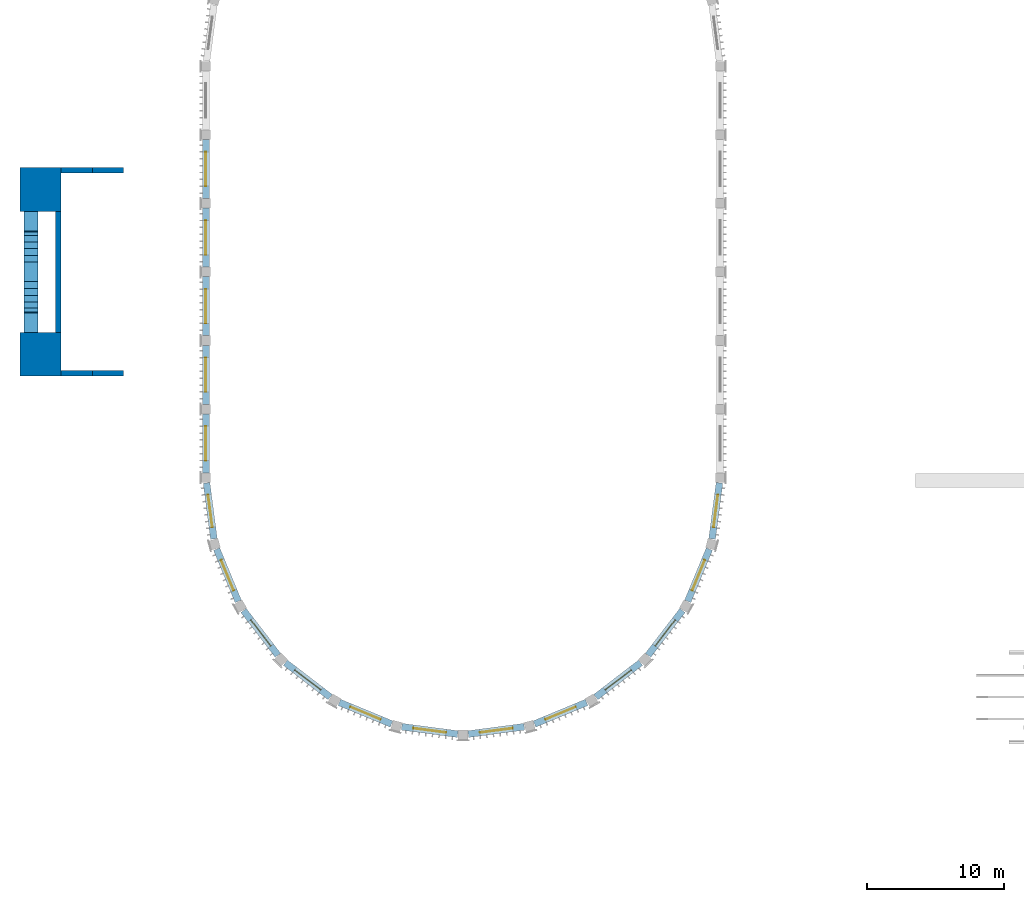
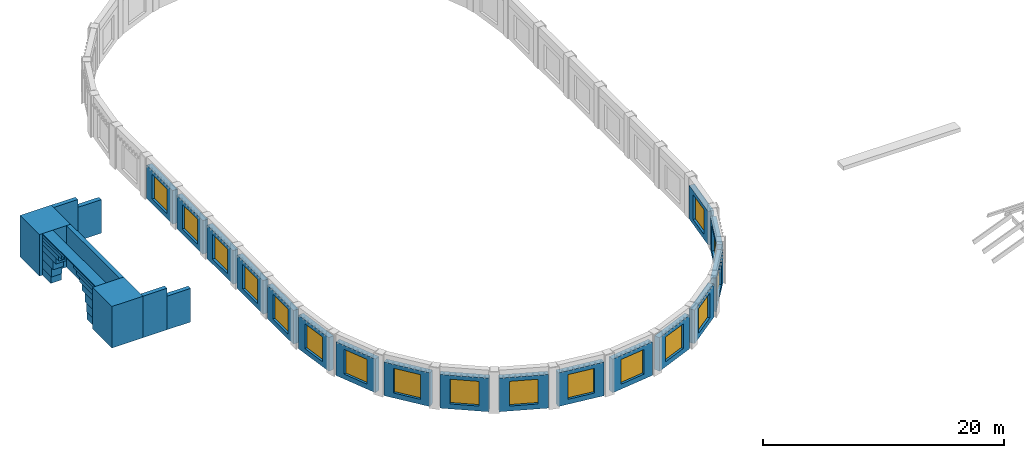
# One storey, part 38 of 71: 39 walls, 17 windows, 17 openings.
"""IFC4 building model written with IfcOpenShell, lengths in metres."""

from ifc_helpers import new_model, si_unit, direction, frame, frame_2d, origin, place, context, subcontext, project, spatial, rectangle, extrude, material, layer, layer_set, type_object, element, fill, save


model = new_model("IFC4")

# Units and contexts
model_context = context("Model", 3, precision=1e-05, world=origin(), true_north=direction((0.0, 1.0)))
body_context = subcontext(model_context, "Body", "Model", "MODEL_VIEW")
ifc_project = project(units=[si_unit("LENGTHUNIT", "METRE"), si_unit("AREAUNIT", "SQUARE_METRE"), si_unit("VOLUMEUNIT", "CUBIC_METRE"), si_unit("PLANEANGLEUNIT", "RADIAN"), si_unit("MASSUNIT", "GRAM", prefix="KILO")], contexts=[model_context])

# Site, building, storey
site_placement = place(None, origin())
site = spatial("IfcSite", under=ifc_project, at=site_placement, CompositionType="ELEMENT")
building_placement = place(site_placement, origin())
building = spatial("IfcBuilding", under=site, at=building_placement, Name="Wasatch Bagh Community Centre", CompositionType="ELEMENT")
storey_placement = place(building_placement, frame((0.0, 0.0, 12.60009765625)))
storey = spatial("IfcBuildingStorey", under=building, at=storey_placement, Name="L03", CompositionType="ELEMENT", Elevation=12.60009765625)

# Walls
ifc_material_1 = material(Name="Concrete C40", Category="concrete")
ifc_layer_1 = layer(ifc_material_1, 0.39990234375)
ifc_layer_set_1 = layer_set([ifc_layer_1], Name="Concrete C40")
wall_type_1 = type_object("IfcWallType", Name="CP-W4", PredefinedType="STANDARD", material=ifc_layer_set_1)
wall_1_placement = place(storey_placement, frame((6.5, 45.60009765625, 0.0), z_axis=(0.0, 0.0, 1.0), x_axis=(0.0, 1.0, 0.0)))
element("IfcWall", 1, at=wall_1_placement, inside=storey, type_object=wall_type_1, Name="CP-W4 pishtaq back wall", PredefinedType="STANDARD", context=body_context, shape_type="SweptSolid", body=[
    extrude(rectangle(XDim=8.7998046875, YDim=0.39990234375, at=frame_2d((4.39990234375, 0.0))), origin(), (0.0, 0.0, 1.0), 4.199951171875),
])
ifc_layer_2 = layer(ifc_material_1, 0.39990234375)
ifc_layer_set_2 = layer_set([ifc_layer_2], Name="Concrete C40")
wall_type_2 = type_object("IfcWallType", Name="CP-W5", PredefinedType="STANDARD", material=ifc_layer_set_2)
wall_2_placement = place(storey_placement, frame((6.699951171875, 42.60009765625, 0.0), z_axis=(0.0, 0.0, 1.0), x_axis=(1.0, 0.0, 0.0)))
element("IfcWall", 2, at=wall_2_placement, inside=storey, type_object=wall_type_2, Name="CP-W5 iwan cheek wall 1.1", PredefinedType="STANDARD", context=body_context, shape_type="SweptSolid", body=[
    extrude(rectangle(XDim=2.300048828125, YDim=0.39990234375, at=frame_2d((1.14990234375, 0.0))), origin(), (0.0, 0.0, 1.0), 4.199951171875),
])
wall_3_placement = place(storey_placement, frame((9.0, 42.60009765625, 0.0), z_axis=(0.0, 0.0, 1.0), x_axis=(1.0, 0.0, 0.0)))
element("IfcWall", 3, at=wall_3_placement, inside=storey, type_object=wall_type_2, Name="CP-W5 iwan cheek wall 1.2", PredefinedType="STANDARD", context=body_context, shape_type="SweptSolid", body=[
    extrude(rectangle(XDim=2.25, YDim=0.39990234375, at=frame_2d((1.125, 0.0))), origin(), (0.0, 0.0, 1.0), 3.39990234375),
])
wall_4_placement = place(storey_placement, frame((6.699951171875, 57.39990234375, 0.0), z_axis=(0.0, 0.0, 1.0), x_axis=(1.0, 0.0, 0.0)))
element("IfcWall", 4, at=wall_4_placement, inside=storey, type_object=wall_type_2, Name="CP-W5 iwan cheek wall 2.1", PredefinedType="STANDARD", context=body_context, shape_type="SweptSolid", body=[
    extrude(rectangle(XDim=2.300048828125, YDim=0.39990234375, at=frame_2d((1.14990234375, 0.0))), origin(), (0.0, 0.0, 1.0), 4.199951171875),
])
wall_5_placement = place(storey_placement, frame((9.0, 57.39990234375, 0.0), z_axis=(0.0, 0.0, 1.0), x_axis=(1.0, 0.0, 0.0)))
element("IfcWall", 5, at=wall_5_placement, inside=storey, type_object=wall_type_2, Name="CP-W5 iwan cheek wall 2.2", PredefinedType="STANDARD", context=body_context, shape_type="SweptSolid", body=[
    extrude(rectangle(XDim=2.25, YDim=0.39990234375, at=frame_2d((1.125, 0.0))), origin(), (0.0, 0.0, 1.0), 3.39990234375),
])
ifc_layer_3 = layer(ifc_material_1, 3.0)
ifc_layer_set_3 = layer_set([ifc_layer_3], Name="Concrete C40")
wall_type_3 = type_object("IfcWallType", Name="CP-W7", PredefinedType="STANDARD", material=ifc_layer_set_3)
for number, where, z_axis, x_axis, name in (
    (6, (5.199951171875, 42.39990234375, 0.0), (0.0, 0.0, 1.0), (0.0, 1.0, 0.0), "CP-W7 iwan masonry mass 1"),
    (7, (5.199951171875, 54.39990234375, 0.0), (0.0, 0.0, 1.0), (0.0, 1.0, 0.0), "CP-W7 iwan masonry mass 2"),
):
    element("IfcWall", number, at=place(storey_placement, frame(where, z_axis=z_axis, x_axis=x_axis)), inside=storey, type_object=wall_type_3, Name=name, PredefinedType="STANDARD", context=body_context, shape_type="SweptSolid", body=[
        extrude(rectangle(XDim=3.2001953125, YDim=3.0, at=frame_2d((1.60009765625, 0.0))), origin(), (0.0, 0.0, 1.0), 4.199951171875),
    ])
ifc_layer_4 = layer(ifc_material_1, 1.0)
ifc_layer_set_4 = layer_set([ifc_layer_4], Name="Concrete C40")
wall_type_4 = type_object("IfcWallType", Name="CP-W8", PredefinedType="STANDARD", material=ifc_layer_set_4)
for number, where, z_axis, x_axis, name in (
    (8, (4.5, 45.60009765625, 0.0), (0.0, 0.0, 1.0), (0.0, 1.0, 0.0), "CP-W8 iwan arch screen arch spandrel"),
    (9, (4.5, 54.39990234375, 0.0), (0.0, 0.0, 1.0), (0.0, -1.0, 0.0), "CP-W8 iwan arch screen arch spandrel"),
):
    element("IfcWall", number, at=place(storey_placement, frame(where, z_axis=z_axis, x_axis=x_axis)), inside=storey, type_object=wall_type_4, Name=name, PredefinedType="STANDARD", context=body_context, shape_type="SweptSolid", body=[
        extrude(rectangle(XDim=1.39990234375, YDim=1.0, at=frame_2d((0.699951171875, 0.0))), origin(), (0.0, 0.0, 1.0), 0.699951171875),
    ])
for number, where, z_axis, x_axis, name in (
    (10, (4.5, 45.60009765625, 0.699951171875), (0.0, 0.0, 1.0), (0.0, 1.0, 0.0), "CP-W8 iwan arch screen arch spandrel"),
    (11, (4.5, 54.39990234375, 0.699951171875), (0.0, 0.0, 1.0), (0.0, -1.0, 0.0), "CP-W8 iwan arch screen arch spandrel"),
):
    element("IfcWall", number, at=place(storey_placement, frame(where, z_axis=z_axis, x_axis=x_axis)), inside=storey, type_object=wall_type_4, Name=name, PredefinedType="STANDARD", context=body_context, shape_type="SweptSolid", body=[
        extrude(rectangle(XDim=1.486328125, YDim=1.0, at=frame_2d((0.7431640625, 0.0))), origin(), (0.0, 0.0, 1.0), 0.89990234375),
    ])
for number, where, z_axis, x_axis, name in (
    (12, (4.5, 45.60009765625, 1.599853515625), (0.0, 0.0, 1.0), (0.0, 1.0, 0.0), "CP-W8 iwan arch screen arch spandrel"),
    (13, (4.5, 54.39990234375, 1.599853515625), (0.0, 0.0, 1.0), (0.0, -1.0, 0.0), "CP-W8 iwan arch screen arch spandrel"),
):
    element("IfcWall", number, at=place(storey_placement, frame(where, z_axis=z_axis, x_axis=x_axis)), inside=storey, type_object=wall_type_4, Name=name, PredefinedType="STANDARD", context=body_context, shape_type="SweptSolid", body=[
        extrude(rectangle(XDim=1.756103515625, YDim=1.0, at=frame_2d((0.8779296875, 0.0))), origin(), (0.0, 0.0, 1.0), 0.85009765625),
    ])
for number, where, z_axis, x_axis, name in (
    (14, (4.5, 45.60009765625, 2.449951171875), (0.0, 0.0, 1.0), (0.0, 1.0, 0.0), "CP-W8 iwan arch screen arch spandrel"),
    (15, (4.5, 54.39990234375, 2.449951171875), (0.0, 0.0, 1.0), (0.0, -1.0, 0.0), "CP-W8 iwan arch screen arch spandrel"),
):
    element("IfcWall", number, at=place(storey_placement, frame(where, z_axis=z_axis, x_axis=x_axis)), inside=storey, type_object=wall_type_4, Name=name, PredefinedType="STANDARD", context=body_context, shape_type="SweptSolid", body=[
        extrude(rectangle(XDim=2.212646484375, YDim=1.0, at=frame_2d((1.1064453125, 0.0))), origin(), (0.0, 0.0, 1.0), 0.599853515625),
    ])
for number, where, z_axis, x_axis, name in (
    (16, (4.5, 45.60009765625, 3.0498046875), (0.0, 0.0, 1.0), (0.0, 1.0, 0.0), "CP-W8 iwan arch screen arch spandrel"),
    (17, (4.5, 54.39990234375, 3.0498046875), (0.0, 0.0, 1.0), (0.0, -1.0, 0.0), "CP-W8 iwan arch screen arch spandrel"),
):
    element("IfcWall", number, at=place(storey_placement, frame(where, z_axis=z_axis, x_axis=x_axis)), inside=storey, type_object=wall_type_4, Name=name, PredefinedType="STANDARD", context=body_context, shape_type="SweptSolid", body=[
        extrude(rectangle(XDim=2.694580078125, YDim=1.0, at=frame_2d((1.34716796875, 0.0))), origin(), (0.0, 0.0, 1.0), 0.4501953125),
    ])
for number, where, z_axis, x_axis, name in (
    (18, (4.5, 45.60009765625, 3.5), (0.0, 0.0, 1.0), (0.0, 1.0, 0.0), "CP-W8 iwan arch screen arch spandrel"),
    (19, (4.5, 54.39990234375, 3.5), (0.0, 0.0, 1.0), (0.0, -1.0, 0.0), "CP-W8 iwan arch screen arch spandrel"),
):
    element("IfcWall", number, at=place(storey_placement, frame(where, z_axis=z_axis, x_axis=x_axis)), inside=storey, type_object=wall_type_4, Name=name, PredefinedType="STANDARD", context=body_context, shape_type="SweptSolid", body=[
        extrude(rectangle(XDim=3.185302734375, YDim=1.0, at=frame_2d((1.5927734375, 0.0))), origin(), (0.0, 0.0, 1.0), 0.349853515625),
    ])
for number, where, z_axis, x_axis, name in (
    (20, (4.5, 45.60009765625, 3.849853515625), (0.0, 0.0, 1.0), (0.0, 1.0, 0.0), "CP-W8 iwan arch screen arch spandrel"),
    (21, (4.5, 54.39990234375, 3.849853515625), (0.0, 0.0, 1.0), (0.0, -1.0, 0.0), "CP-W8 iwan arch screen arch spandrel"),
):
    element("IfcWall", number, at=place(storey_placement, frame(where, z_axis=z_axis, x_axis=x_axis)), inside=storey, type_object=wall_type_4, Name=name, PredefinedType="STANDARD", context=body_context, shape_type="SweptSolid", body=[
        extrude(rectangle(XDim=3.689697265625, YDim=1.0, at=frame_2d((1.8447265625, 0.0))), origin(), (0.0, 0.0, 1.0), 0.25),
    ])
wall_6_placement = place(storey_placement, frame((4.5, 45.60009765625, 4.099853515625), z_axis=(0.0, 0.0, 1.0), x_axis=(0.0, 1.0, 0.0)))
element("IfcWall", 22, at=wall_6_placement, inside=storey, type_object=wall_type_4, Name="CP-W8 iwan arch screen arch spandrel", PredefinedType="STANDARD", context=body_context, shape_type="SweptSolid", body=[
    extrude(rectangle(XDim=8.7998046875, YDim=1.0, at=frame_2d((4.39990234375, 0.0))), origin(), (0.0, 0.0, 1.0), 0.10009765625),
])

# Wall, opening, window
ifc_layer_5 = layer(ifc_material_1, 0.5)
ifc_layer_set_5 = layer_set([ifc_layer_5], Name="Concrete C40")
wall_type_5 = type_object("IfcWallType", Name="MH wall RC WALL 500", PredefinedType="SHEAR", material=ifc_layer_set_5)
wall_7_placement = place(storey_placement, frame((17.300537109375, 34.616943359375, 0.0), z_axis=(0.0, 0.0, 1.0), x_axis=(0.130483623501, -0.991450464722, 0.0)))
wall_7 = element("IfcWall", 23, at=wall_7_placement, inside=storey, type_object=wall_type_5, Name="Capsule wall 1", PredefinedType="SHEAR", context=body_context, shape_type="SweptSolid", body=[
    extrude(rectangle(XDim=4.121826171875, YDim=0.5, at=frame_2d((2.06103515625, 0.0))), origin(), (0.0, 0.0, 1.0), 3.39990234375),
])
opening_1_placement = place(wall_7_placement, frame((0.86083984375, 0.0, 0.5)))
opening_1 = element("IfcOpeningElement", 24, at=opening_1_placement, cuts=wall_7, Name="Opening 0M-W01", PredefinedType="OPENING", context=body_context, shape_type="SweptSolid", body=[
    extrude(rectangle(XDim=2.39990234375, YDim=2.5, at=frame_2d((1.199951171875, 1.25))), frame((0.0, 0.260009765625, 0.0), z_axis=(0.0, -1.0, 0.0), x_axis=(1.0, 0.0, 0.0)), (0.0, 0.0, 1.0), 0.52001953125),
])
ifc_material_2 = material(Name="Aluminium frame with low-iron insulated glass", Category="aluminium")
window_type_1 = type_object("IfcWindowType", Name="MH clerestory window W2", PartitioningType="SINGLE_PANEL", PredefinedType="WINDOW", material=ifc_material_2)
window_1_placement = place(opening_1_placement, origin())
window_1 = element("IfcWindow", 25, at=window_1_placement, inside=storey, type_object=window_type_1, Name="Window 0M-W01", OverallHeight=2.5, OverallWidth=2.39990234375, PartitioningType="SINGLE_PANEL", PredefinedType="WINDOW", context=body_context, shape_type="SweptSolid", body=[
    extrude(rectangle(XDim=2.39990234375, YDim=2.5, at=frame_2d((1.199951171875, 1.25))), frame((0.0, 0.030029296875, 0.0), z_axis=(0.0, -1.0, 0.0), x_axis=(1.0, 0.0, 0.0)), (0.0, 0.0, 1.0), 0.06005859375),
])
fill(opening_1, window_1)

wall_8_placement = place(storey_placement, frame((18.036865234375, 29.7900390625, 0.0), z_axis=(0.0, 0.0, 1.0), x_axis=(0.382688328955, -0.923877504262, 0.0)))
wall_8 = element("IfcWall", 26, at=wall_8_placement, inside=storey, type_object=wall_type_5, Name="Capsule wall 2", PredefinedType="SHEAR", context=body_context, shape_type="SweptSolid", body=[
    extrude(rectangle(XDim=4.121826171875, YDim=0.5, at=frame_2d((2.06103515625, 0.0))), origin(), (0.0, 0.0, 1.0), 3.39990234375),
])
opening_2_placement = place(wall_8_placement, frame((0.86083984375, 0.0, 0.5)))
opening_2 = element("IfcOpeningElement", 27, at=opening_2_placement, cuts=wall_8, Name="Opening 0M-W02", PredefinedType="OPENING", context=body_context, shape_type="SweptSolid", body=[
    extrude(rectangle(XDim=2.39990234375, YDim=2.5, at=frame_2d((1.199951171875, 1.25))), frame((0.0, 0.260009765625, 0.0), z_axis=(0.0, -1.0, 0.0), x_axis=(1.0, 0.0, 0.0)), (0.0, 0.0, 1.0), 0.52001953125),
])
window_2_placement = place(opening_2_placement, origin())
window_2 = element("IfcWindow", 28, at=window_2_placement, inside=storey, type_object=window_type_1, Name="Window 0M-W02", OverallHeight=2.5, OverallWidth=2.39990234375, PartitioningType="SINGLE_PANEL", PredefinedType="WINDOW", context=body_context, shape_type="SweptSolid", body=[
    extrude(rectangle(XDim=2.39990234375, YDim=2.5, at=frame_2d((1.199951171875, 1.25))), frame((0.0, 0.030029296875, 0.0), z_axis=(0.0, -1.0, 0.0), x_axis=(1.0, 0.0, 0.0)), (0.0, 0.0, 1.0), 0.06005859375),
])
fill(opening_2, window_2)

wall_9_placement = place(storey_placement, frame((19.997314453125, 25.318359375, 0.0), z_axis=(0.0, 0.0, 1.0), x_axis=(0.60877717335, -0.793341258985, 0.0)))
wall_9 = element("IfcWall", 29, at=wall_9_placement, inside=storey, type_object=wall_type_5, Name="Capsule wall 3", PredefinedType="SHEAR", context=body_context, shape_type="SweptSolid", body=[
    extrude(rectangle(XDim=4.121826171875, YDim=0.5, at=frame_2d((2.06103515625, 0.0))), origin(), (0.0, 0.0, 1.0), 3.39990234375),
])
opening_3_placement = place(wall_9_placement, frame((0.86083984375, 0.0, 0.5)))
opening_3 = element("IfcOpeningElement", 30, at=opening_3_placement, cuts=wall_9, Name="Opening 0M-W03", PredefinedType="OPENING", context=body_context, shape_type="SweptSolid", body=[
    extrude(rectangle(XDim=2.39990234375, YDim=2.5, at=frame_2d((1.199951171875, 1.25))), frame((0.0, 0.260009765625, 0.0), z_axis=(0.0, -1.0, 0.0), x_axis=(1.0, 0.0, 0.0)), (0.0, 0.0, 1.0), 0.52001953125),
])
window_3_placement = place(opening_3_placement, origin())
window_3 = element("IfcWindow", 31, at=window_3_placement, inside=storey, type_object=window_type_1, Name="Window 0M-W03", OverallHeight=2.5, OverallWidth=2.39990234375, PartitioningType="SINGLE_PANEL", PredefinedType="WINDOW", context=body_context, shape_type="SweptSolid", body=[
    extrude(rectangle(XDim=2.39990234375, YDim=2.5, at=frame_2d((1.199951171875, 1.25))), frame((0.0, 0.030029296875, 0.0), z_axis=(0.0, -1.0, 0.0), x_axis=(1.0, 0.0, 0.0)), (0.0, 0.0, 1.0), 0.06005859375),
])
fill(opening_3, window_3)

wall_10_placement = place(storey_placement, frame((23.04833984375, 21.506591796875, 0.0), z_axis=(0.0, 0.0, 1.0), x_axis=(0.793341258985, -0.60877717335, 0.0)))
wall_10 = element("IfcWall", 32, at=wall_10_placement, inside=storey, type_object=wall_type_5, Name="Capsule wall 4", PredefinedType="SHEAR", context=body_context, shape_type="SweptSolid", body=[
    extrude(rectangle(XDim=4.121826171875, YDim=0.5, at=frame_2d((2.06103515625, 0.0))), origin(), (0.0, 0.0, 1.0), 3.39990234375),
])
opening_4_placement = place(wall_10_placement, frame((0.86083984375, 0.0, 0.5)))
opening_4 = element("IfcOpeningElement", 33, at=opening_4_placement, cuts=wall_10, Name="Opening 0M-W04", PredefinedType="OPENING", context=body_context, shape_type="SweptSolid", body=[
    extrude(rectangle(XDim=2.39990234375, YDim=2.5, at=frame_2d((1.199951171875, 1.25))), frame((0.0, 0.260009765625, 0.0), z_axis=(0.0, -1.0, 0.0), x_axis=(1.0, 0.0, 0.0)), (0.0, 0.0, 1.0), 0.52001953125),
])
window_4_placement = place(opening_4_placement, origin())
window_4 = element("IfcWindow", 34, at=window_4_placement, inside=storey, type_object=window_type_1, Name="Window 0M-W04", OverallHeight=2.5, OverallWidth=2.39990234375, PartitioningType="SINGLE_PANEL", PredefinedType="WINDOW", context=body_context, shape_type="SweptSolid", body=[
    extrude(rectangle(XDim=2.39990234375, YDim=2.5, at=frame_2d((1.199951171875, 1.25))), frame((0.0, 0.030029296875, 0.0), z_axis=(0.0, -1.0, 0.0), x_axis=(1.0, 0.0, 0.0)), (0.0, 0.0, 1.0), 0.06005859375),
])
fill(opening_4, window_4)

wall_11_placement = place(storey_placement, frame((26.98193359375, 18.6142578125, 0.0), z_axis=(0.0, 0.0, 1.0), x_axis=(0.923877504262, -0.382688328955, 0.0)))
wall_11 = element("IfcWall", 35, at=wall_11_placement, inside=storey, type_object=wall_type_5, Name="Capsule wall 5", PredefinedType="SHEAR", context=body_context, shape_type="SweptSolid", body=[
    extrude(rectangle(XDim=4.121826171875, YDim=0.5, at=frame_2d((2.06103515625, 0.0))), origin(), (0.0, 0.0, 1.0), 3.39990234375),
])
opening_5_placement = place(wall_11_placement, frame((0.86083984375, 0.0, 0.5)))
opening_5 = element("IfcOpeningElement", 36, at=opening_5_placement, cuts=wall_11, Name="Opening 0M-W05", PredefinedType="OPENING", context=body_context, shape_type="SweptSolid", body=[
    extrude(rectangle(XDim=2.39990234375, YDim=2.5, at=frame_2d((1.199951171875, 1.25))), frame((0.0, 0.260009765625, 0.0), z_axis=(0.0, -1.0, 0.0), x_axis=(1.0, 0.0, 0.0)), (0.0, 0.0, 1.0), 0.52001953125),
])
window_5_placement = place(opening_5_placement, origin())
window_5 = element("IfcWindow", 37, at=window_5_placement, inside=storey, type_object=window_type_1, Name="Window 0M-W05", OverallHeight=2.5, OverallWidth=2.39990234375, PartitioningType="SINGLE_PANEL", PredefinedType="WINDOW", context=body_context, shape_type="SweptSolid", body=[
    extrude(rectangle(XDim=2.39990234375, YDim=2.5, at=frame_2d((1.199951171875, 1.25))), frame((0.0, 0.030029296875, 0.0), z_axis=(0.0, -1.0, 0.0), x_axis=(1.0, 0.0, 0.0)), (0.0, 0.0, 1.0), 0.06005859375),
])
fill(opening_5, window_5)

wall_12_placement = place(storey_placement, frame((31.5302734375, 16.83837890625, 0.0), z_axis=(0.0, 0.0, 1.0), x_axis=(0.991450464722, -0.130483623501, 0.0)))
wall_12 = element("IfcWall", 38, at=wall_12_placement, inside=storey, type_object=wall_type_5, Name="Capsule wall 6", PredefinedType="SHEAR", context=body_context, shape_type="SweptSolid", body=[
    extrude(rectangle(XDim=4.121826171875, YDim=0.5, at=frame_2d((2.06103515625, 0.0))), origin(), (0.0, 0.0, 1.0), 3.39990234375),
])
opening_6_placement = place(wall_12_placement, frame((0.86083984375, 0.0, 0.5)))
opening_6 = element("IfcOpeningElement", 39, at=opening_6_placement, cuts=wall_12, Name="Opening 0M-W06", PredefinedType="OPENING", context=body_context, shape_type="SweptSolid", body=[
    extrude(rectangle(XDim=2.39990234375, YDim=2.5, at=frame_2d((1.199951171875, 1.25))), frame((0.0, 0.260009765625, 0.0), z_axis=(0.0, -1.0, 0.0), x_axis=(1.0, 0.0, 0.0)), (0.0, 0.0, 1.0), 0.52001953125),
])
window_6_placement = place(opening_6_placement, origin())
window_6 = element("IfcWindow", 40, at=window_6_placement, inside=storey, type_object=window_type_1, Name="Window 0M-W06", OverallHeight=2.5, OverallWidth=2.39990234375, PartitioningType="SINGLE_PANEL", PredefinedType="WINDOW", context=body_context, shape_type="SweptSolid", body=[
    extrude(rectangle(XDim=2.39990234375, YDim=2.5, at=frame_2d((1.199951171875, 1.25))), frame((0.0, 0.030029296875, 0.0), z_axis=(0.0, -1.0, 0.0), x_axis=(1.0, 0.0, 0.0)), (0.0, 0.0, 1.0), 0.06005859375),
])
fill(opening_6, window_6)

wall_13_placement = place(storey_placement, frame((36.383056640625, 16.300537109375, 0.0), z_axis=(0.0, 0.0, 1.0), x_axis=(0.991450464722, 0.130483623501, 0.0)))
wall_13 = element("IfcWall", 41, at=wall_13_placement, inside=storey, type_object=wall_type_5, Name="Capsule wall 7", PredefinedType="SHEAR", context=body_context, shape_type="SweptSolid", body=[
    extrude(rectangle(XDim=4.121826171875, YDim=0.5, at=frame_2d((2.06103515625, 0.0))), origin(), (0.0, 0.0, 1.0), 3.39990234375),
])
opening_7_placement = place(wall_13_placement, frame((0.86083984375, 0.0, 0.5)))
opening_7 = element("IfcOpeningElement", 42, at=opening_7_placement, cuts=wall_13, Name="Opening 0M-W07", PredefinedType="OPENING", context=body_context, shape_type="SweptSolid", body=[
    extrude(rectangle(XDim=2.39990234375, YDim=2.5, at=frame_2d((1.199951171875, 1.25))), frame((0.0, 0.260009765625, 0.0), z_axis=(0.0, -1.0, 0.0), x_axis=(1.0, 0.0, 0.0)), (0.0, 0.0, 1.0), 0.52001953125),
])
window_7_placement = place(opening_7_placement, origin())
window_7 = element("IfcWindow", 43, at=window_7_placement, inside=storey, type_object=window_type_1, Name="Window 0M-W07", OverallHeight=2.5, OverallWidth=2.39990234375, PartitioningType="SINGLE_PANEL", PredefinedType="WINDOW", context=body_context, shape_type="SweptSolid", body=[
    extrude(rectangle(XDim=2.39990234375, YDim=2.5, at=frame_2d((1.199951171875, 1.25))), frame((0.0, 0.030029296875, 0.0), z_axis=(0.0, -1.0, 0.0), x_axis=(1.0, 0.0, 0.0)), (0.0, 0.0, 1.0), 0.06005859375),
])
fill(opening_7, window_7)

wall_14_placement = place(storey_placement, frame((41.2099609375, 17.036865234375, 0.0), z_axis=(0.0, 0.0, 1.0), x_axis=(0.923877504262, 0.382688328955, 0.0)))
wall_14 = element("IfcWall", 44, at=wall_14_placement, inside=storey, type_object=wall_type_5, Name="Capsule wall 8", PredefinedType="SHEAR", context=body_context, shape_type="SweptSolid", body=[
    extrude(rectangle(XDim=4.121826171875, YDim=0.5, at=frame_2d((2.06103515625, 0.0))), origin(), (0.0, 0.0, 1.0), 3.39990234375),
])
opening_8_placement = place(wall_14_placement, frame((0.86083984375, 0.0, 0.5)))
opening_8 = element("IfcOpeningElement", 45, at=opening_8_placement, cuts=wall_14, Name="Opening 0M-W08", PredefinedType="OPENING", context=body_context, shape_type="SweptSolid", body=[
    extrude(rectangle(XDim=2.39990234375, YDim=2.5, at=frame_2d((1.199951171875, 1.25))), frame((0.0, 0.260009765625, 0.0), z_axis=(0.0, -1.0, 0.0), x_axis=(1.0, 0.0, 0.0)), (0.0, 0.0, 1.0), 0.52001953125),
])
window_8_placement = place(opening_8_placement, origin())
window_8 = element("IfcWindow", 46, at=window_8_placement, inside=storey, type_object=window_type_1, Name="Window 0M-W08", OverallHeight=2.5, OverallWidth=2.39990234375, PartitioningType="SINGLE_PANEL", PredefinedType="WINDOW", context=body_context, shape_type="SweptSolid", body=[
    extrude(rectangle(XDim=2.39990234375, YDim=2.5, at=frame_2d((1.199951171875, 1.25))), frame((0.0, 0.030029296875, 0.0), z_axis=(0.0, -1.0, 0.0), x_axis=(1.0, 0.0, 0.0)), (0.0, 0.0, 1.0), 0.06005859375),
])
fill(opening_8, window_8)

wall_15_placement = place(storey_placement, frame((45.681640625, 18.997314453125, 0.0), z_axis=(0.0, 0.0, 1.0), x_axis=(0.793341258985, 0.60877717335, 0.0)))
wall_15 = element("IfcWall", 47, at=wall_15_placement, inside=storey, type_object=wall_type_5, Name="Capsule wall 9", PredefinedType="SHEAR", context=body_context, shape_type="SweptSolid", body=[
    extrude(rectangle(XDim=4.121826171875, YDim=0.5, at=frame_2d((2.06103515625, 0.0))), origin(), (0.0, 0.0, 1.0), 3.39990234375),
])
opening_9_placement = place(wall_15_placement, frame((0.86083984375, 0.0, 0.5)))
opening_9 = element("IfcOpeningElement", 48, at=opening_9_placement, cuts=wall_15, Name="Opening 0M-W09", PredefinedType="OPENING", context=body_context, shape_type="SweptSolid", body=[
    extrude(rectangle(XDim=2.39990234375, YDim=2.5, at=frame_2d((1.199951171875, 1.25))), frame((0.0, 0.260009765625, 0.0), z_axis=(0.0, -1.0, 0.0), x_axis=(1.0, 0.0, 0.0)), (0.0, 0.0, 1.0), 0.52001953125),
])
window_9_placement = place(opening_9_placement, origin())
window_9 = element("IfcWindow", 49, at=window_9_placement, inside=storey, type_object=window_type_1, Name="Window 0M-W09", OverallHeight=2.5, OverallWidth=2.39990234375, PartitioningType="SINGLE_PANEL", PredefinedType="WINDOW", context=body_context, shape_type="SweptSolid", body=[
    extrude(rectangle(XDim=2.39990234375, YDim=2.5, at=frame_2d((1.199951171875, 1.25))), frame((0.0, 0.030029296875, 0.0), z_axis=(0.0, -1.0, 0.0), x_axis=(1.0, 0.0, 0.0)), (0.0, 0.0, 1.0), 0.06005859375),
])
fill(opening_9, window_9)

wall_16_placement = place(storey_placement, frame((49.493408203125, 22.04833984375, 0.0), z_axis=(0.0, 0.0, 1.0), x_axis=(0.60877717335, 0.793341258985, 0.0)))
wall_16 = element("IfcWall", 50, at=wall_16_placement, inside=storey, type_object=wall_type_5, Name="Capsule wall 10", PredefinedType="SHEAR", context=body_context, shape_type="SweptSolid", body=[
    extrude(rectangle(XDim=4.121826171875, YDim=0.5, at=frame_2d((2.06103515625, 0.0))), origin(), (0.0, 0.0, 1.0), 3.39990234375),
])
opening_10_placement = place(wall_16_placement, frame((0.86083984375, 0.0, 0.5)))
opening_10 = element("IfcOpeningElement", 51, at=opening_10_placement, cuts=wall_16, Name="Opening 0M-W10", PredefinedType="OPENING", context=body_context, shape_type="SweptSolid", body=[
    extrude(rectangle(XDim=2.39990234375, YDim=2.5, at=frame_2d((1.199951171875, 1.25))), frame((0.0, 0.260009765625, 0.0), z_axis=(0.0, -1.0, 0.0), x_axis=(1.0, 0.0, 0.0)), (0.0, 0.0, 1.0), 0.52001953125),
])
window_10_placement = place(opening_10_placement, origin())
window_10 = element("IfcWindow", 52, at=window_10_placement, inside=storey, type_object=window_type_1, Name="Window 0M-W10", OverallHeight=2.5, OverallWidth=2.39990234375, PartitioningType="SINGLE_PANEL", PredefinedType="WINDOW", context=body_context, shape_type="SweptSolid", body=[
    extrude(rectangle(XDim=2.39990234375, YDim=2.5, at=frame_2d((1.199951171875, 1.25))), frame((0.0, 0.030029296875, 0.0), z_axis=(0.0, -1.0, 0.0), x_axis=(1.0, 0.0, 0.0)), (0.0, 0.0, 1.0), 0.06005859375),
])
fill(opening_10, window_10)

wall_17_placement = place(storey_placement, frame((52.3857421875, 25.98193359375, 0.0), z_axis=(0.0, 0.0, 1.0), x_axis=(0.382688328955, 0.923877504262, 0.0)))
wall_17 = element("IfcWall", 53, at=wall_17_placement, inside=storey, type_object=wall_type_5, Name="Capsule wall 11", PredefinedType="SHEAR", context=body_context, shape_type="SweptSolid", body=[
    extrude(rectangle(XDim=4.121826171875, YDim=0.5, at=frame_2d((2.06103515625, 0.0))), origin(), (0.0, 0.0, 1.0), 3.39990234375),
])
opening_11_placement = place(wall_17_placement, frame((0.86083984375, 0.0, 0.5)))
opening_11 = element("IfcOpeningElement", 54, at=opening_11_placement, cuts=wall_17, Name="Opening 0M-W11", PredefinedType="OPENING", context=body_context, shape_type="SweptSolid", body=[
    extrude(rectangle(XDim=2.39990234375, YDim=2.5, at=frame_2d((1.199951171875, 1.25))), frame((0.0, 0.260009765625, 0.0), z_axis=(0.0, -1.0, 0.0), x_axis=(1.0, 0.0, 0.0)), (0.0, 0.0, 1.0), 0.52001953125),
])
window_11_placement = place(opening_11_placement, origin())
window_11 = element("IfcWindow", 55, at=window_11_placement, inside=storey, type_object=window_type_1, Name="Window 0M-W11", OverallHeight=2.5, OverallWidth=2.39990234375, PartitioningType="SINGLE_PANEL", PredefinedType="WINDOW", context=body_context, shape_type="SweptSolid", body=[
    extrude(rectangle(XDim=2.39990234375, YDim=2.5, at=frame_2d((1.199951171875, 1.25))), frame((0.0, 0.030029296875, 0.0), z_axis=(0.0, -1.0, 0.0), x_axis=(1.0, 0.0, 0.0)), (0.0, 0.0, 1.0), 0.06005859375),
])
fill(opening_11, window_11)

wall_18_placement = place(storey_placement, frame((54.16162109375, 30.5302734375, 0.0), z_axis=(0.0, 0.0, 1.0), x_axis=(0.130483623501, 0.991450464722, 0.0)))
wall_18 = element("IfcWall", 56, at=wall_18_placement, inside=storey, type_object=wall_type_5, Name="Capsule wall 12", PredefinedType="SHEAR", context=body_context, shape_type="SweptSolid", body=[
    extrude(rectangle(XDim=4.121826171875, YDim=0.5, at=frame_2d((2.06103515625, 0.0))), origin(), (0.0, 0.0, 1.0), 3.39990234375),
])
opening_12_placement = place(wall_18_placement, frame((0.86083984375, 0.0, 0.5)))
opening_12 = element("IfcOpeningElement", 57, at=opening_12_placement, cuts=wall_18, Name="Opening 0M-W12", PredefinedType="OPENING", context=body_context, shape_type="SweptSolid", body=[
    extrude(rectangle(XDim=2.39990234375, YDim=2.5, at=frame_2d((1.199951171875, 1.25))), frame((0.0, 0.260009765625, 0.0), z_axis=(0.0, -1.0, 0.0), x_axis=(1.0, 0.0, 0.0)), (0.0, 0.0, 1.0), 0.52001953125),
])
window_12_placement = place(opening_12_placement, origin())
window_12 = element("IfcWindow", 58, at=window_12_placement, inside=storey, type_object=window_type_1, Name="Window 0M-W12", OverallHeight=2.5, OverallWidth=2.39990234375, PartitioningType="SINGLE_PANEL", PredefinedType="WINDOW", context=body_context, shape_type="SweptSolid", body=[
    extrude(rectangle(XDim=2.39990234375, YDim=2.5, at=frame_2d((1.199951171875, 1.25))), frame((0.0, 0.030029296875, 0.0), z_axis=(0.0, -1.0, 0.0), x_axis=(1.0, 0.0, 0.0)), (0.0, 0.0, 1.0), 0.06005859375),
])
fill(opening_12, window_12)

wall_19_placement = place(storey_placement, frame((17.25, 59.6494140625, 0.0), z_axis=(0.0, 0.0, 1.0), x_axis=(0.0, -1.0, 0.0)))
wall_19 = element("IfcWall", 59, at=wall_19_placement, inside=storey, type_object=wall_type_5, Name="Capsule wall 32", PredefinedType="SHEAR", context=body_context, shape_type="SweptSolid", body=[
    extrude(rectangle(XDim=4.298828125, YDim=0.5, at=frame_2d((2.1494140625, 0.0))), origin(), (0.0, 0.0, 1.0), 3.39990234375),
])
opening_13_placement = place(wall_19_placement, frame((0.8994140625, 0.0, 0.5)))
opening_13 = element("IfcOpeningElement", 60, at=opening_13_placement, cuts=wall_19, Name="Opening 0M-W32", PredefinedType="OPENING", context=body_context, shape_type="SweptSolid", body=[
    extrude(rectangle(XDim=2.5, YDim=2.5, at=frame_2d((1.25, 1.25))), frame((0.0, 0.260009765625, 0.0), z_axis=(0.0, -1.0, 0.0), x_axis=(1.0, 0.0, 0.0)), (0.0, 0.0, 1.0), 0.52001953125),
])
window_type_2 = type_object("IfcWindowType", Name="MH clerestory window W4", PartitioningType="SINGLE_PANEL", PredefinedType="WINDOW", material=ifc_material_2)
window_13_placement = place(opening_13_placement, origin())
window_13 = element("IfcWindow", 61, at=window_13_placement, inside=storey, type_object=window_type_2, Name="Window 0M-W32", OverallHeight=2.5, OverallWidth=2.5, PartitioningType="SINGLE_PANEL", PredefinedType="WINDOW", context=body_context, shape_type="SweptSolid", body=[
    extrude(rectangle(XDim=2.5, YDim=2.5, at=frame_2d((1.25, 1.25))), frame((0.0, 0.030029296875, 0.0), z_axis=(0.0, -1.0, 0.0), x_axis=(1.0, 0.0, 0.0)), (0.0, 0.0, 1.0), 0.06005859375),
])
fill(opening_13, window_13)

wall_20_placement = place(storey_placement, frame((17.25, 54.6494140625, 0.0), z_axis=(0.0, 0.0, 1.0), x_axis=(0.0, -1.0, 0.0)))
wall_20 = element("IfcWall", 62, at=wall_20_placement, inside=storey, type_object=wall_type_5, Name="Capsule wall 33", PredefinedType="SHEAR", context=body_context, shape_type="SweptSolid", body=[
    extrude(rectangle(XDim=4.298828125, YDim=0.5, at=frame_2d((2.1494140625, 0.0))), origin(), (0.0, 0.0, 1.0), 3.39990234375),
])
opening_14_placement = place(wall_20_placement, frame((0.8994140625, 0.0, 0.5)))
opening_14 = element("IfcOpeningElement", 63, at=opening_14_placement, cuts=wall_20, Name="Opening 0M-W33", PredefinedType="OPENING", context=body_context, shape_type="SweptSolid", body=[
    extrude(rectangle(XDim=2.5, YDim=2.5, at=frame_2d((1.25, 1.25))), frame((0.0, 0.260009765625, 0.0), z_axis=(0.0, -1.0, 0.0), x_axis=(1.0, 0.0, 0.0)), (0.0, 0.0, 1.0), 0.52001953125),
])
window_14_placement = place(opening_14_placement, origin())
window_14 = element("IfcWindow", 64, at=window_14_placement, inside=storey, type_object=window_type_2, Name="Window 0M-W33", OverallHeight=2.5, OverallWidth=2.5, PartitioningType="SINGLE_PANEL", PredefinedType="WINDOW", context=body_context, shape_type="SweptSolid", body=[
    extrude(rectangle(XDim=2.5, YDim=2.5, at=frame_2d((1.25, 1.25))), frame((0.0, 0.030029296875, 0.0), z_axis=(0.0, -1.0, 0.0), x_axis=(1.0, 0.0, 0.0)), (0.0, 0.0, 1.0), 0.06005859375),
])
fill(opening_14, window_14)

wall_21_placement = place(storey_placement, frame((17.25, 49.6494140625, 0.0), z_axis=(0.0, 0.0, 1.0), x_axis=(0.0, -1.0, 0.0)))
wall_21 = element("IfcWall", 65, at=wall_21_placement, inside=storey, type_object=wall_type_5, Name="Capsule wall 34", PredefinedType="SHEAR", context=body_context, shape_type="SweptSolid", body=[
    extrude(rectangle(XDim=4.298828125, YDim=0.5, at=frame_2d((2.1494140625, 0.0))), origin(), (0.0, 0.0, 1.0), 3.39990234375),
])
opening_15_placement = place(wall_21_placement, frame((0.8994140625, 0.0, 0.5)))
opening_15 = element("IfcOpeningElement", 66, at=opening_15_placement, cuts=wall_21, Name="Opening 0M-W34", PredefinedType="OPENING", context=body_context, shape_type="SweptSolid", body=[
    extrude(rectangle(XDim=2.5, YDim=2.5, at=frame_2d((1.25, 1.25))), frame((0.0, 0.260009765625, 0.0), z_axis=(0.0, -1.0, 0.0), x_axis=(1.0, 0.0, 0.0)), (0.0, 0.0, 1.0), 0.52001953125),
])
window_15_placement = place(opening_15_placement, origin())
window_15 = element("IfcWindow", 67, at=window_15_placement, inside=storey, type_object=window_type_2, Name="Window 0M-W34", OverallHeight=2.5, OverallWidth=2.5, PartitioningType="SINGLE_PANEL", PredefinedType="WINDOW", context=body_context, shape_type="SweptSolid", body=[
    extrude(rectangle(XDim=2.5, YDim=2.5, at=frame_2d((1.25, 1.25))), frame((0.0, 0.030029296875, 0.0), z_axis=(0.0, -1.0, 0.0), x_axis=(1.0, 0.0, 0.0)), (0.0, 0.0, 1.0), 0.06005859375),
])
fill(opening_15, window_15)

wall_22_placement = place(storey_placement, frame((17.25, 44.6494140625, 0.0), z_axis=(0.0, 0.0, 1.0), x_axis=(0.0, -1.0, 0.0)))
wall_22 = element("IfcWall", 68, at=wall_22_placement, inside=storey, type_object=wall_type_5, Name="Capsule wall 35", PredefinedType="SHEAR", context=body_context, shape_type="SweptSolid", body=[
    extrude(rectangle(XDim=4.298828125, YDim=0.5, at=frame_2d((2.1494140625, 0.0))), origin(), (0.0, 0.0, 1.0), 3.39990234375),
])
opening_16_placement = place(wall_22_placement, frame((0.8994140625, 0.0, 0.5)))
opening_16 = element("IfcOpeningElement", 69, at=opening_16_placement, cuts=wall_22, Name="Opening 0M-W35", PredefinedType="OPENING", context=body_context, shape_type="SweptSolid", body=[
    extrude(rectangle(XDim=2.5, YDim=2.5, at=frame_2d((1.25, 1.25))), frame((0.0, 0.260009765625, 0.0), z_axis=(0.0, -1.0, 0.0), x_axis=(1.0, 0.0, 0.0)), (0.0, 0.0, 1.0), 0.52001953125),
])
window_16_placement = place(opening_16_placement, origin())
window_16 = element("IfcWindow", 70, at=window_16_placement, inside=storey, type_object=window_type_2, Name="Window 0M-W35", OverallHeight=2.5, OverallWidth=2.5, PartitioningType="SINGLE_PANEL", PredefinedType="WINDOW", context=body_context, shape_type="SweptSolid", body=[
    extrude(rectangle(XDim=2.5, YDim=2.5, at=frame_2d((1.25, 1.25))), frame((0.0, 0.030029296875, 0.0), z_axis=(0.0, -1.0, 0.0), x_axis=(1.0, 0.0, 0.0)), (0.0, 0.0, 1.0), 0.06005859375),
])
fill(opening_16, window_16)

wall_23_placement = place(storey_placement, frame((17.25, 39.6494140625, 0.0), z_axis=(0.0, 0.0, 1.0), x_axis=(0.0, -1.0, 0.0)))
wall_23 = element("IfcWall", 71, at=wall_23_placement, inside=storey, type_object=wall_type_5, Name="Capsule wall 36", PredefinedType="SHEAR", context=body_context, shape_type="SweptSolid", body=[
    extrude(rectangle(XDim=4.298828125, YDim=0.5, at=frame_2d((2.1494140625, 0.0))), origin(), (0.0, 0.0, 1.0), 3.39990234375),
])
opening_17_placement = place(wall_23_placement, frame((0.8994140625, 0.0, 0.5)))
opening_17 = element("IfcOpeningElement", 72, at=opening_17_placement, cuts=wall_23, Name="Opening 0M-W36", PredefinedType="OPENING", context=body_context, shape_type="SweptSolid", body=[
    extrude(rectangle(XDim=2.5, YDim=2.5, at=frame_2d((1.25, 1.25))), frame((0.0, 0.260009765625, 0.0), z_axis=(0.0, -1.0, 0.0), x_axis=(1.0, 0.0, 0.0)), (0.0, 0.0, 1.0), 0.52001953125),
])
window_17_placement = place(opening_17_placement, origin())
window_17 = element("IfcWindow", 73, at=window_17_placement, inside=storey, type_object=window_type_2, Name="Window 0M-W36", OverallHeight=2.5, OverallWidth=2.5, PartitioningType="SINGLE_PANEL", PredefinedType="WINDOW", context=body_context, shape_type="SweptSolid", body=[
    extrude(rectangle(XDim=2.5, YDim=2.5, at=frame_2d((1.25, 1.25))), frame((0.0, 0.030029296875, 0.0), z_axis=(0.0, -1.0, 0.0), x_axis=(1.0, 0.0, 0.0)), (0.0, 0.0, 1.0), 0.06005859375),
])
fill(opening_17, window_17)

save(model, "model.ifc")
